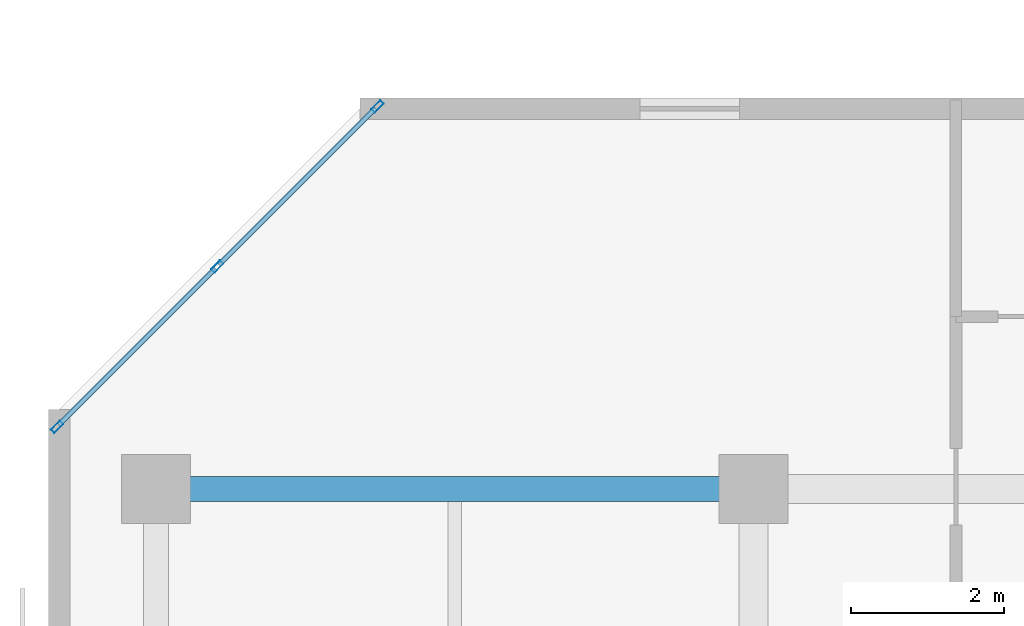
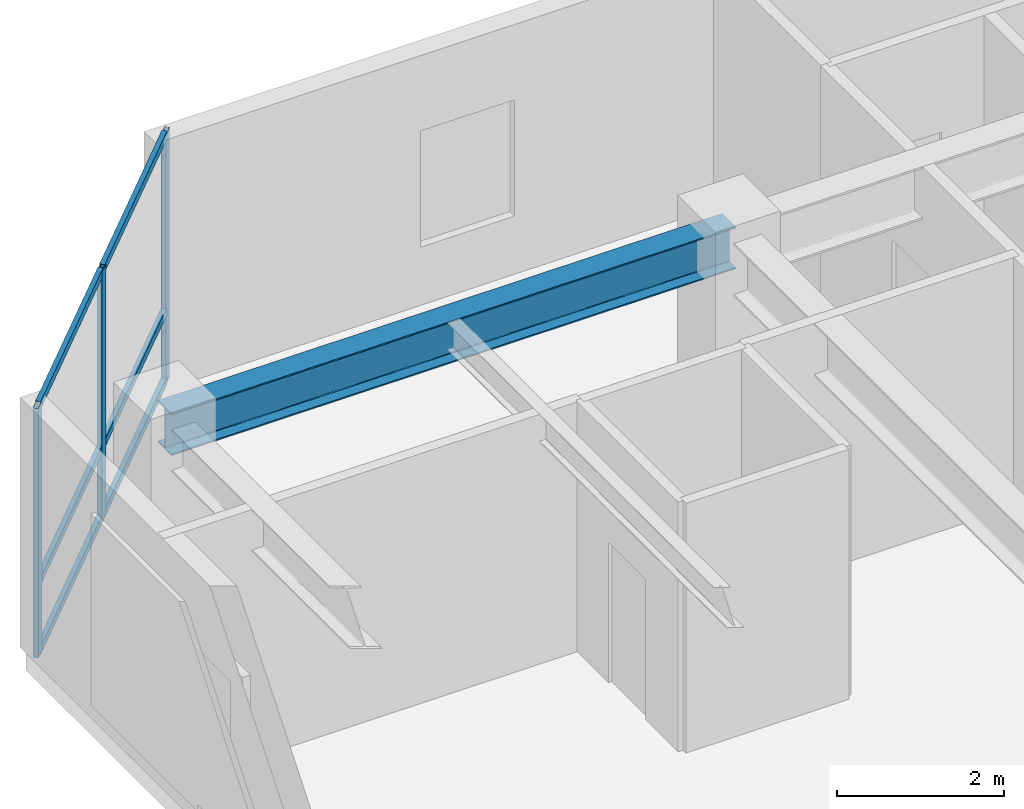
# One storey, part 2 of 10: 9 members, 1 beam, 1 element without a shape of its own.
"""IFC4 building model written with IfcOpenShell, lengths in metres."""

import ifcopenshell
import ifcopenshell.guid

model = None  # the IFC model being written
_history = None  # IfcOwnerHistory: only IFC2X3 demands one
_inside = {}  # id of a spatial element -> (the spatial element, [elements in it])
_under = {}  # id of a project, library or spatial element -> (it, [spatial elements below it])
_declared = {}  # id of a project -> (the project, [libraries it declares])
_typed = {}  # id of a type object -> (the type object, [elements of that type])
_made_of = {}  # id of a material, layer set ... -> (it, [elements and type objects made of it])


def new_model(schema):
    """Start an empty IFC model of exactly this schema.

    Asked for "IFC4X3", IfcOpenShell would pick the latest addendum, in which some entities
    have other attributes; the version numbers below select the first issue.
    IFC2X3 requires an IfcOwnerHistory on every rooted entity: one is made here for all.
    """
    global model, _history
    if schema == "IFC4X3":
        model = ifcopenshell.file(schema_version=(4, 3, 0, 0))
    else:
        model = ifcopenshell.file(schema=schema)
    _inside.clear()
    _under.clear()
    _declared.clear()
    _typed.clear()
    _made_of.clear()
    _history = None
    if model.schema == "IFC2X3":
        org = make("IfcOrganization", Name="unknown")
        user = make(
            "IfcPersonAndOrganization",
            ThePerson=make("IfcPerson", FamilyName="unknown"),
            TheOrganization=org,
        )
        app = make(
            "IfcApplication",
            ApplicationDeveloper=org,
            Version="unknown",
            ApplicationFullName="unknown",
            ApplicationIdentifier="unknown",
        )
        _history = make(
            "IfcOwnerHistory",
            OwningUser=user,
            OwningApplication=app,
            ChangeAction="ADDED",
            CreationDate=0,
        )
    return model


def make(cls, **values):
    """One entity of the class cls with the attributes given. An attribute that is None is left unset."""
    return model.create_entity(
        cls, **{name: value for name, value in values.items() if value is not None}
    )


def rooted(cls, **values):
    """An entity with a GlobalId (a new one), such as an element, a storey or a relation."""
    return make(cls, GlobalId=ifcopenshell.guid.new(), OwnerHistory=_history, **values)


def si_unit(unit_type, name, prefix=None):
    """IfcSIUnit, for example si_unit("LENGTHUNIT", "METRE", prefix="MILLI")."""
    return make("IfcSIUnit", UnitType=unit_type, Prefix=prefix, Name=name)


def assignment(units):
    """IfcUnitAssignment: the units of a project."""
    return None if units is None else make("IfcUnitAssignment", Units=units)


def point(xyz):
    """IfcCartesianPoint."""
    return None if xyz is None else make("IfcCartesianPoint", Coordinates=xyz)


def direction(xyz):
    """IfcDirection."""
    return None if xyz is None else make("IfcDirection", DirectionRatios=xyz)


def frame(location, z_axis=None, x_axis=None):
    """IfcAxis2Placement3D, a coordinate frame: its origin and axes. An axis left out is left unset."""
    return make(
        "IfcAxis2Placement3D",
        Location=point(location),
        Axis=direction(z_axis),
        RefDirection=direction(x_axis),
    )


def frame_2d(location, x_axis=None):
    """IfcAxis2Placement2D, a coordinate frame in the plane: its origin and x axis."""
    return make(
        "IfcAxis2Placement2D", Location=point(location), RefDirection=direction(x_axis)
    )


def origin():
    """The frame at (0, 0, 0) with its axes left unset."""
    return frame((0.0, 0.0, 0.0))


def origin_2d():
    """The frame at (0, 0) in the plane with its x axis left unset."""
    return frame_2d((0.0, 0.0))


def place(relative_to, where):
    """IfcLocalPlacement: puts the frame where relative to a parent placement (None: the world)."""
    return make(
        "IfcLocalPlacement", PlacementRelTo=relative_to, RelativePlacement=where
    )


def context(
    kind, dimensions, precision=None, world=None, true_north=None, identifier=None
):
    """IfcGeometricRepresentationContext, for example the 3D "Model" context."""
    return make(
        "IfcGeometricRepresentationContext",
        ContextIdentifier=identifier,
        ContextType=kind,
        CoordinateSpaceDimension=dimensions,
        Precision=precision,
        WorldCoordinateSystem=world,
        TrueNorth=true_north,
    )


def subcontext(parent, identifier, kind, view, scale=None):
    """IfcGeometricRepresentationSubContext, for example "Body" below "Model"."""
    return make(
        "IfcGeometricRepresentationSubContext",
        ContextIdentifier=identifier,
        ContextType=kind,
        ParentContext=parent,
        TargetScale=scale,
        TargetView=view,
    )


def project(units=None, contexts=None):
    """IfcProject with its units and contexts."""
    return rooted(
        "IfcProject",
        Name="project",
        RepresentationContexts=contexts,
        UnitsInContext=assignment(units),
    )


def spatial(cls, under=None, at=None, **own):
    """A site, building, storey or space (cls), placed at a placement, below another one or the project."""
    s = rooted(cls, ObjectPlacement=at, **own)
    if under is not None:
        _under.setdefault(under.id(), (under, []))[1].append(s)
    return s


def profile(cls, at=None, kind="AREA", **sizes):
    """A parametric profile (cls). Its sizes go by their IFC names, for example OverallWidth=200.0."""
    return make(cls, ProfileType=kind, Position=at, **sizes)


def hollow_rectangle(**sizes):
    """IfcRectangleHollowProfileDef."""
    return profile("IfcRectangleHollowProfileDef", **sizes)


def i_section(**sizes):
    """IfcIShapeProfileDef."""
    return profile("IfcIShapeProfileDef", **sizes)


def extrude(swept, where, along, depth):
    """IfcExtrudedAreaSolid: the profile swept, set in the frame where, extruded along a direction by depth."""
    return make(
        "IfcExtrudedAreaSolid",
        SweptArea=swept,
        Position=where,
        ExtrudedDirection=direction(along),
        Depth=depth,
    )


def shape(context_of_items, identifier, shape_type, items):
    """IfcShapeRepresentation: the items that make up one representation, for example the "Body"."""
    return make(
        "IfcShapeRepresentation",
        ContextOfItems=context_of_items,
        RepresentationIdentifier=identifier,
        RepresentationType=shape_type,
        Items=items,
    )


def material(Name=None, Category=None):
    """IfcMaterial."""
    return make("IfcMaterial", Name=Name, Category=Category)


def layer(
    of_material, thickness, ventilated=None, Name=None, Category=None, Priority=None
):
    """IfcMaterialLayer: one layer of a wall or slab, of a material (None: an air gap)."""
    return make(
        "IfcMaterialLayer",
        Material=of_material,
        LayerThickness=thickness,
        IsVentilated=ventilated,
        Name=Name,
        Category=Category,
        Priority=Priority,
    )


def layer_set(layers, Name=None):
    """IfcMaterialLayerSet."""
    return make("IfcMaterialLayerSet", MaterialLayers=layers, LayerSetName=Name)


def material_profile(
    of_material, cross_section, Name=None, Category=None, Priority=None
):
    """IfcMaterialProfile: a cross section and its material."""
    return make(
        "IfcMaterialProfile",
        Name=Name,
        Material=of_material,
        Profile=cross_section,
        Priority=Priority,
        Category=Category,
    )


def profile_set(profiles, Name=None, composite=None):
    """IfcMaterialProfileSet."""
    return make(
        "IfcMaterialProfileSet",
        Name=Name,
        MaterialProfiles=profiles,
        CompositeProfile=composite,
    )


def made_of(thing, what):
    """Note that an element or type object is made of a material, layer set ...; save() writes the relation."""
    if what is not None:
        _made_of.setdefault(what.id(), (what, []))[1].append(thing)
    return thing


def type_object(cls, material=None, **own):
    """A type object (cls), such as IfcWallType, which elements share."""
    return made_of(rooted(cls, **own), material)


def element(
    cls,
    number,
    at=None,
    inside=None,
    cuts=None,
    type_object=None,
    material=None,
    context=None,
    identifier="Body",
    shape_type=None,
    held_by="IfcProductDefinitionShape",
    body=None,
    shapes=None,
    **own,
):
    """One element of the class cls, such as IfcWall. Its Tag is "e" and its number.

    at: its placement. inside: the storey or other place that contains it. cuts: it is an
    opening in that element (IfcRelVoidsElement). A single representation is given by context,
    identifier, shape_type and body (its items); several are given by shapes. held_by: the class
    of the entity that holds the representations. save() writes the other relations.
    """
    e = rooted(cls, Tag="e%d" % number, ObjectPlacement=at, **own)
    if body is not None:
        shapes = [shape(context, identifier, shape_type, body)]
    if shapes is not None:
        e.Representation = make(held_by, Representations=shapes)
    if inside is not None:
        _inside.setdefault(inside.id(), (inside, []))[1].append(e)
    if cuts is not None:
        rooted(
            "IfcRelVoidsElement", RelatingBuildingElement=cuts, RelatedOpeningElement=e
        )
    if type_object is not None:
        _typed.setdefault(type_object.id(), (type_object, []))[1].append(e)
    return made_of(e, material)


def aggregate(whole, parts):
    """IfcRelAggregates: a whole, such as a stair, and the parts it consists of."""
    return rooted("IfcRelAggregates", RelatingObject=whole, RelatedObjects=parts)


def save(model, path):
    """Write the relations noted so far, then the file.

    IfcRelAggregates (storeys below a building ...), IfcRelContainedInSpatialStructure (elements
    in a storey), IfcRelDefinesByType, IfcRelAssociatesMaterial and IfcRelDeclares: one each for
    every whole, place, type object, material and project.
    """
    for whole, parts in _under.values():
        aggregate(whole, parts)
    for where, things in _inside.values():
        rooted(
            "IfcRelContainedInSpatialStructure",
            RelatedElements=things,
            RelatingStructure=where,
        )
    for kind, things in _typed.values():
        rooted("IfcRelDefinesByType", RelatedObjects=things, RelatingType=kind)
    for what, things in _made_of.values():
        rooted("IfcRelAssociatesMaterial", RelatedObjects=things, RelatingMaterial=what)
    for by, libraries in _declared.values():
        rooted("IfcRelDeclares", RelatingContext=by, RelatedDefinitions=libraries)
    model.write(path)


model = new_model("IFC4")

# Units and contexts
model_context = context("Model", 3, precision=1e-05, world=origin(), true_north=direction((0.0, 1.0)))
body_context = subcontext(model_context, "Body", "Model", "MODEL_VIEW")
ifc_project = project(units=[si_unit("LENGTHUNIT", "METRE"), si_unit("AREAUNIT", "SQUARE_METRE"), si_unit("VOLUMEUNIT", "CUBIC_METRE"), si_unit("PLANEANGLEUNIT", "RADIAN"), si_unit("MASSUNIT", "GRAM", prefix="KILO")], contexts=[model_context])

# Site, building, storey
site_placement = place(None, origin())
site = spatial("IfcSite", under=ifc_project, at=site_placement, CompositionType="ELEMENT")
building_placement = place(site_placement, origin())
building = spatial("IfcBuilding", under=site, at=building_placement, Name="Kestravale Grand Hotel", CompositionType="ELEMENT")
storey_placement = place(building_placement, frame((0.0, 0.0, 196.800048828125)))
storey = spatial("IfcBuildingStorey", under=building, at=storey_placement, Name="L49", CompositionType="ELEMENT", Elevation=196.800048828125)

# Beam
ifc_material_1 = material(Name="Steel ASTM A992 Grade 50", Category="steel")
ifc_material_profile_1 = material_profile(ifc_material_1, i_section(OverallWidth=0.324951171875, OverallDepth=0.612060546875, WebThickness=0.0126953125, FlangeThickness=0.01904296875, FilletRadius=0.018798828125, at=origin_2d()))
ifc_profile_set_1 = profile_set([ifc_material_profile_1], Name="Steel ASTM A992 Grade 50")
beam_type = type_object("IfcBeamType", Name="B-FLR-W24A", PredefinedType="SPANDREL", material=ifc_profile_set_1)
beam_placement = place(storey_placement, frame((7.800048828125, 38.39990234375, 3.343994140625), z_axis=(1.0, 0.0, 0.0), x_axis=(0.0, 1.0, 0.0)))
element("IfcBeam", 1, at=beam_placement, inside=storey, type_object=beam_type, Name="L49 spandrel F:2-3", PredefinedType="SPANDREL", context=body_context, shape_type="SweptSolid", body=[
    extrude(i_section(OverallWidth=0.324951171875, OverallDepth=0.612060546875, WebThickness=0.0126953125, FlangeThickness=0.01904296875, FilletRadius=0.018798828125, at=origin_2d()), origin(), (0.0, 0.0, 1.0), 7.800048828125),
])

# Curtain wall, members
ifc_material_2 = material(Name="Thermally broken champagne-bronze aluminium and low-E glazing", Category="aluminium")
ifc_layer = layer(ifc_material_2, 0.179931640625)
ifc_layer_set = layer_set([ifc_layer], Name="CW-Z3")
curtain_wall_type = type_object("IfcCurtainWallType", Name="CW-Z3", PredefinedType="NOTDEFINED", material=ifc_layer_set)
curtain_wall_placement = place(storey_placement, origin())
curtain_wall = element("IfcCurtainWall", 2, at=curtain_wall_placement, inside=storey, type_object=curtain_wall_type, Name="L49 unitised curtain wall 18", PredefinedType="NOTDEFINED")
ifc_material_3 = material(Name="Aluminium 6063-T6 anodised", Category="aluminium")
ifc_material_profile_2 = material_profile(ifc_material_3, hollow_rectangle(XDim=0.06494140625, YDim=0.1650390625, WallThickness=0.00341796875, at=origin_2d()))
ifc_profile_set_2 = profile_set([ifc_material_profile_2], Name="Aluminium 6063-T6 anodised")
member_type_1 = type_object("IfcMemberType", Name="CW-MUL-165", PredefinedType="MULLION", material=ifc_profile_set_2)
member_1_placement = place(storey_placement, frame((10.690185546875, 43.392333984375, 0.0), z_axis=(0.0, 0.0, 1.0), x_axis=(0.707106781187, -0.707106781187, 0.0)))
member_1 = element("IfcMember", 3, at=member_1_placement, type_object=member_type_1, Name="CW-Z3 mullion 1", PredefinedType="MULLION", context=body_context, shape_type="SweptSolid", body=[
    extrude(hollow_rectangle(XDim=0.06494140625, YDim=0.1650390625, WallThickness=0.00341796875, at=origin_2d()), origin(), (0.0, 0.0, 1.0), 3.64990234375),
])
member_2_placement = place(storey_placement, frame((8.59912109375, 41.301025390625, 0.0), z_axis=(0.0, 0.0, 1.0), x_axis=(0.707106781187, -0.707106781187, 0.0)))
member_2 = element("IfcMember", 4, at=member_2_placement, type_object=member_type_1, Name="CW-Z3 mullion 2", PredefinedType="MULLION", context=body_context, shape_type="SweptSolid", body=[
    extrude(hollow_rectangle(XDim=0.06494140625, YDim=0.1650390625, WallThickness=0.00341796875, at=origin_2d()), origin(), (0.0, 0.0, 1.0), 3.64990234375),
])
member_3_placement = place(storey_placement, frame((6.5078125, 39.209716796875, 0.0), z_axis=(0.0, 0.0, 1.0), x_axis=(0.707106781187, -0.707106781187, 0.0)))
member_3 = element("IfcMember", 5, at=member_3_placement, type_object=member_type_1, Name="CW-Z3 mullion 3", PredefinedType="MULLION", context=body_context, shape_type="SweptSolid", body=[
    extrude(hollow_rectangle(XDim=0.06494140625, YDim=0.1650390625, WallThickness=0.00341796875, at=origin_2d()), origin(), (0.0, 0.0, 1.0), 3.64990234375),
])
ifc_material_4 = material(Name="Aluminium 6063-T6 anodised", Category="aluminium")
ifc_material_profile_3 = material_profile(ifc_material_4, hollow_rectangle(XDim=0.06494140625, YDim=0.114990234375, WallThickness=0.003173828125, at=origin_2d()))
ifc_profile_set_3 = profile_set([ifc_material_profile_3], Name="Aluminium 6063-T6 anodised")
member_type_2 = type_object("IfcMemberType", Name="CW-TRN-115", PredefinedType="USERDEFINED", material=ifc_profile_set_3)
member_4_placement = place(storey_placement, frame((10.667236328125, 43.369140625, 0.032470703125), z_axis=(-0.707106781187, -0.707106781187, 0.0), x_axis=(0.707106781187, -0.707106781187, 0.0)))
member_4 = element("IfcMember", 6, at=member_4_placement, type_object=member_type_2, Name="CW-Z3 transom 1.1", ObjectType="TRANSOM", PredefinedType="USERDEFINED", context=body_context, shape_type="SweptSolid", body=[
    extrude(hollow_rectangle(XDim=0.06494140625, YDim=0.114990234375, WallThickness=0.003173828125, at=origin_2d()), origin(), (0.0, 0.0, 1.0), 2.892333984375),
])
member_5_placement = place(storey_placement, frame((10.667236328125, 43.369140625, 1.050048828125), z_axis=(-0.707106781187, -0.707106781187, 0.0), x_axis=(0.707106781187, -0.707106781187, 0.0)))
member_5 = element("IfcMember", 7, at=member_5_placement, type_object=member_type_2, Name="CW-Z3 transom 1.2", ObjectType="TRANSOM", PredefinedType="USERDEFINED", context=body_context, shape_type="SweptSolid", body=[
    extrude(hollow_rectangle(XDim=0.06494140625, YDim=0.114990234375, WallThickness=0.003173828125, at=origin_2d()), origin(), (0.0, 0.0, 1.0), 2.892333984375),
])
member_6_placement = place(storey_placement, frame((10.667236328125, 43.369140625, 3.617431640625), z_axis=(-0.707106781187, -0.707106781187, 0.0), x_axis=(0.707106781187, -0.707106781187, 0.0)))
member_6 = element("IfcMember", 8, at=member_6_placement, type_object=member_type_2, Name="CW-Z3 transom 1.3", ObjectType="TRANSOM", PredefinedType="USERDEFINED", context=body_context, shape_type="SweptSolid", body=[
    extrude(hollow_rectangle(XDim=0.06494140625, YDim=0.114990234375, WallThickness=0.003173828125, at=origin_2d()), origin(), (0.0, 0.0, 1.0), 2.892333984375),
])
member_7_placement = place(storey_placement, frame((8.575927734375, 41.278076171875, 0.032470703125), z_axis=(-0.707064577195, -0.707148982659, 0.0), x_axis=(0.707148982659, -0.707064577195, 0.0)))
member_7 = element("IfcMember", 9, at=member_7_placement, type_object=member_type_2, Name="CW-Z3 transom 2.1", ObjectType="TRANSOM", PredefinedType="USERDEFINED", context=body_context, shape_type="SweptSolid", body=[
    extrude(hollow_rectangle(XDim=0.06494140625, YDim=0.114990234375, WallThickness=0.003173828125, at=origin_2d()), origin(), (0.0, 0.0, 1.0), 2.892578125),
])
member_8_placement = place(storey_placement, frame((8.575927734375, 41.278076171875, 1.050048828125), z_axis=(-0.707064577195, -0.707148982659, 0.0), x_axis=(0.707148982659, -0.707064577195, 0.0)))
member_8 = element("IfcMember", 10, at=member_8_placement, type_object=member_type_2, Name="CW-Z3 transom 2.2", ObjectType="TRANSOM", PredefinedType="USERDEFINED", context=body_context, shape_type="SweptSolid", body=[
    extrude(hollow_rectangle(XDim=0.06494140625, YDim=0.114990234375, WallThickness=0.003173828125, at=origin_2d()), origin(), (0.0, 0.0, 1.0), 2.892578125),
])
member_9_placement = place(storey_placement, frame((8.575927734375, 41.278076171875, 3.617431640625), z_axis=(-0.707064577195, -0.707148982659, 0.0), x_axis=(0.707148982659, -0.707064577195, 0.0)))
member_9 = element("IfcMember", 11, at=member_9_placement, type_object=member_type_2, Name="CW-Z3 transom 2.3", ObjectType="TRANSOM", PredefinedType="USERDEFINED", context=body_context, shape_type="SweptSolid", body=[
    extrude(hollow_rectangle(XDim=0.06494140625, YDim=0.114990234375, WallThickness=0.003173828125, at=origin_2d()), origin(), (0.0, 0.0, 1.0), 2.892578125),
])
aggregate(curtain_wall, [member_1, member_2, member_3, member_4, member_5, member_6, member_7, member_8, member_9])

save(model, "model.ifc")
